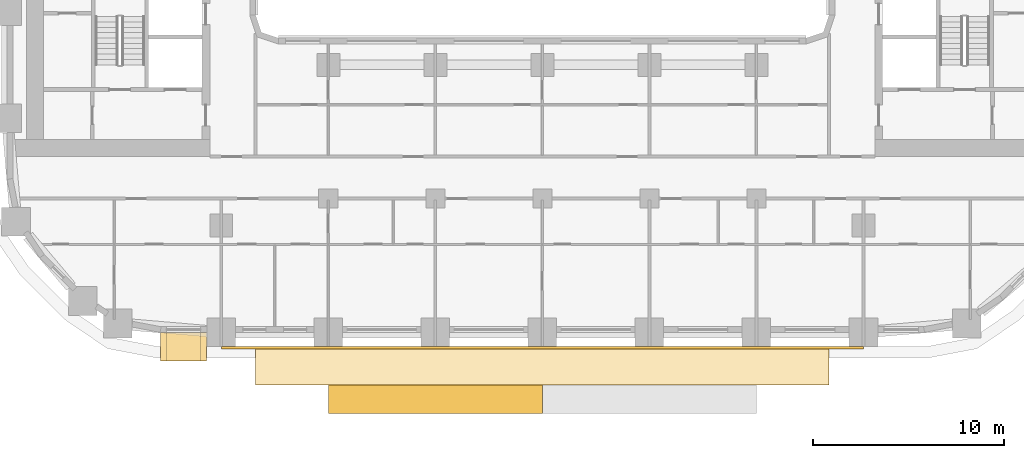
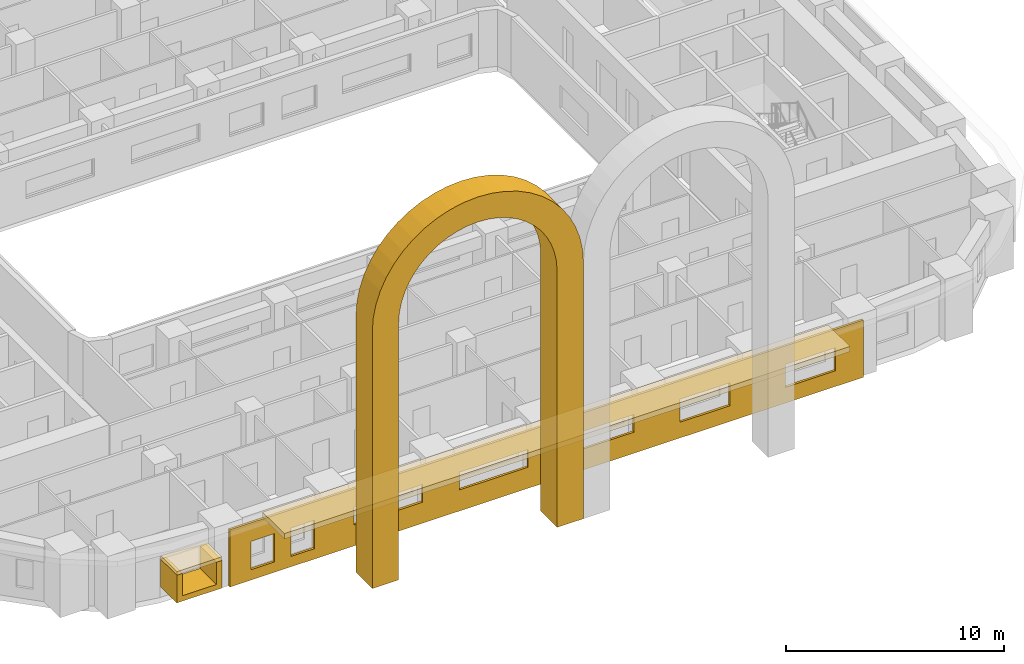
# One storey, part 11 of 21: 5 coverings.
"""IFC4 building model written with IfcOpenShell, lengths in metres."""

from ifc_helpers import new_model, si_unit, direction, frame, origin, origin_2d, place, context, subcontext, project, spatial, polyline, rectangle, outline, extrude, material, layer, layer_set, type_object, element, save


model = new_model("IFC4")

# Units and contexts
model_context = context("Model", 3, precision=1e-05, world=origin(), true_north=direction((0.0, 1.0)))
body_context = subcontext(model_context, "Body", "Model", "MODEL_VIEW")
ifc_project = project(units=[si_unit("LENGTHUNIT", "METRE"), si_unit("AREAUNIT", "SQUARE_METRE"), si_unit("VOLUMEUNIT", "CUBIC_METRE"), si_unit("PLANEANGLEUNIT", "RADIAN"), si_unit("MASSUNIT", "GRAM", prefix="KILO")], contexts=[model_context])

# Site, building, storey
site_placement = place(None, origin())
site = spatial("IfcSite", under=ifc_project, at=site_placement, CompositionType="ELEMENT")
building_placement = place(site_placement, origin())
building = spatial("IfcBuilding", under=site, at=building_placement, Name="Kiln Ring Residences", CompositionType="ELEMENT")
storey_placement = place(building_placement, frame((0.0, 0.0, 51.5)))
storey = spatial("IfcBuildingStorey", under=building, at=storey_placement, Name="L12", CompositionType="ELEMENT", Elevation=51.5)

# Coverings
ifc_material_1 = material(Name="Brick masonry, dark clay brick", Category="masonry")
ifc_layer_1 = layer(ifc_material_1, 1.39990234375)
ifc_layer_set_1 = layer_set([ifc_layer_1], Name="ARCH SURROUND 1500")
covering_type_1 = type_object("IfcCoveringType", Name="ARCH SURROUND 1500", PredefinedType="CLADDING", material=ifc_layer_set_1)
covering_1_placement = place(storey_placement, frame((0.0, -25.89990234375, 0.0), z_axis=(0.0, 0.0, 1.0), x_axis=(-1.0, 0.0, 0.0)))
element("IfcCovering", 1, at=covering_1_placement, inside=storey, type_object=covering_type_1, Name="ARCH SURROUND Z1 S2.1", PredefinedType="CLADDING", context=body_context, shape_type="SweptSolid", body=[
    extrude(outline(polyline([(11.199951171875, 0.0), (11.199951171875, 14.39990234375), (11.152099609375, 15.130859375), (11.00927734375, 15.849365234375), (10.773681640625, 16.54296875), (10.44970703125, 17.199951171875), (10.042724609375, 17.80908203125), (9.559814453125, 18.35986328125), (9.009033203125, 18.8427734375), (8.39990234375, 19.249755859375), (7.742919921875, 19.57373046875), (7.04931640625, 19.80908203125), (6.330810546875, 19.9521484375), (5.60009765625, 20.0), (4.869140625, 19.9521484375), (4.150634765625, 19.80908203125), (3.45703125, 19.57373046875), (2.800048828125, 19.249755859375), (2.19091796875, 18.8427734375), (1.64013671875, 18.35986328125), (1.1572265625, 17.80908203125), (0.750244140625, 17.199951171875), (0.42626953125, 16.54296875), (0.19091796875, 15.849365234375), (0.0478515625, 15.130859375), (0.0, 14.39990234375), (0.0, 0.0), (1.39990234375, 0.0), (1.39990234375, 14.39990234375), (1.435791015625, 14.9482421875), (1.543212890625, 15.487060546875), (1.7197265625, 16.00732421875), (1.962646484375, 16.5), (2.267822265625, 16.956787109375), (2.630126953125, 17.369873046875), (3.043212890625, 17.732177734375), (3.5, 18.037353515625), (3.99267578125, 18.2802734375), (4.512939453125, 18.456787109375), (5.0517578125, 18.564208984375), (5.60009765625, 18.60009765625), (6.148193359375, 18.564208984375), (6.68701171875, 18.456787109375), (7.207275390625, 18.2802734375), (7.699951171875, 18.037353515625), (8.15673828125, 17.732177734375), (8.56982421875, 17.369873046875), (8.93212890625, 16.956787109375), (9.2373046875, 16.5), (9.480224609375, 16.00732421875), (9.656982421875, 15.487060546875), (9.76416015625, 14.9482421875), (9.800048828125, 14.39990234375), (9.800048828125, 0.0), (11.199951171875, 0.0)])), frame((0.0, 0.75, 0.0), z_axis=(0.0, -1.0, 0.0), x_axis=(1.0, 0.0, 0.0)), (0.0, 0.0, 1.0), 1.5),
])
ifc_material_2 = material(Name="Brick masonry, dark clay brick", Category="masonry")
ifc_layer_2 = layer(ifc_material_2, 0.300048828125)
ifc_layer_set_2 = layer_set([ifc_layer_2], Name="FRAME CHEEKS AND SILL 1500")
covering_type_2 = type_object("IfcCoveringType", Name="FRAME CHEEKS AND SILL 1500", PredefinedType="CLADDING", material=ifc_layer_set_2)
covering_2_placement = place(storey_placement, frame((-19.97509765625, -23.14990234375, 0.60009765625), z_axis=(0.0, 0.0, 1.0), x_axis=(1.0, 0.0, 0.0)))
element("IfcCovering", 2, at=covering_2_placement, inside=storey, type_object=covering_type_2, Name="FRAME L12", PredefinedType="CLADDING", context=body_context, shape_type="SweptSolid", body=[
    extrude(outline(polyline([(0.0, 0.0), (2.400146484375, 0.0), (2.39990234375, 1.5498046875), (2.10107421875, 1.5498046875), (2.10009765625, 0.2998046875), (0.300048828125, 0.2998046875), (0.299072265625, 1.5498046875), (0.0, 1.5498046875), (0.0, 0.0)])), frame((0.0, 0.75, 0.0), z_axis=(0.0, -1.0, 0.0), x_axis=(1.0, 0.0, 0.0)), (0.0, 0.0, 1.0), 1.5),
])
ifc_material_3 = material(Name="Brick masonry, dark clay brick", Category="masonry")
ifc_layer_3 = layer(ifc_material_3, 0.199951171875)
ifc_layer_set_3 = layer_set([ifc_layer_3], Name="FRAME HEAD 1500")
covering_type_3 = type_object("IfcCoveringType", Name="FRAME HEAD 1500", PredefinedType="CLADDING", material=ifc_layer_set_3)
covering_3_placement = place(storey_placement, frame((-18.77490234375, -23.14990234375, 2.14990234375), z_axis=(0.0, 0.0, 1.0), x_axis=(1.0, 0.0, 0.0)))
element("IfcCovering", 3, at=covering_3_placement, inside=storey, type_object=covering_type_3, Name="FRAME HEAD L12", PredefinedType="CLADDING", context=body_context, shape_type="SweptSolid", body=[
    extrude(rectangle(XDim=2.39990234375, YDim=1.5, at=origin_2d()), origin(), (0.0, 0.0, 1.0), 0.199951171875),
])
ifc_material_4 = material(Name="Brick masonry, dark clay brick", Category="masonry")
ifc_layer_4 = layer(ifc_material_4, 0.1201171875)
ifc_layer_set_4 = layer_set([ifc_layer_4], Name="RAINSCREEN PANEL 120")
covering_type_4 = type_object("IfcCoveringType", Name="RAINSCREEN PANEL 120", PredefinedType="CLADDING", material=ifc_layer_set_4)
covering_4_placement = place(storey_placement, frame((-16.800048828125, -23.2099609375, 0.0), z_axis=(0.0, 0.0, 1.0), x_axis=(1.0, 0.0, 0.0)))
element("IfcCovering", 4, at=covering_4_placement, inside=storey, type_object=covering_type_4, Name="RAINSCREEN L12", PredefinedType="CLADDING", context=body_context, shape_type="SweptSolid", body=[
    extrude(outline(polyline([(0.0, 0.0), (33.60009765625, 0.0), (33.60009765625, 3.199951171875), (0.0, 3.199951171875), (0.0, 0.0)]), holes=[polyline([(2.357421875, 0.580078125), (2.357421875, 2.169921875), (1.117431640625, 2.169921875), (1.117431640625, 0.580078125), (2.357421875, 0.580078125)]), polyline([(3.242431640625, 0.580078125), (4.482421875, 0.580078125), (4.482421875, 2.169921875), (3.242431640625, 2.169921875), (3.242431640625, 0.580078125)]), polyline([(23.8798828125, 0.8798828125), (26.52001953125, 0.8798828125), (26.52001953125, 2.169921875), (23.8798828125, 2.169921875), (23.8798828125, 0.8798828125)]), polyline([(29.47998046875, 0.8798828125), (32.1201171875, 0.8798828125), (32.1201171875, 2.169921875), (29.47998046875, 2.169921875), (29.47998046875, 0.8798828125)]), polyline([(6.580078125, 1.179931640625), (10.219970703125, 1.179931640625), (10.219970703125, 2.169921875), (6.580078125, 2.169921875), (6.580078125, 1.179931640625)]), polyline([(12.179931640625, 1.179931640625), (15.820068359375, 1.179931640625), (15.820068359375, 2.169921875), (12.179931640625, 2.169921875), (12.179931640625, 1.179931640625)]), polyline([(17.780029296875, 1.179931640625), (21.419921875, 1.179931640625), (21.419921875, 2.169921875), (17.780029296875, 2.169921875), (17.780029296875, 1.179931640625)])]), frame((0.0, 0.06005859375, 0.0), z_axis=(0.0, -1.0, 0.0), x_axis=(1.0, 0.0, 0.0)), (0.0, 0.0, 1.0), 0.1201171875),
])
ifc_material_5 = material(Name="Black powder-coated steel", Category="steel")
ifc_layer_5 = layer(ifc_material_5, 0.300048828125)
ifc_layer_set_5 = layer_set([ifc_layer_5], Name="SUNSHADE BAND 2000")
covering_type_5 = type_object("IfcCoveringType", Name="SUNSHADE BAND 2000", PredefinedType="CLADDING", material=ifc_layer_set_5)
covering_5_placement = place(storey_placement, frame((0.0, 0.0, 3.199951171875)))
element("IfcCovering", 5, at=covering_5_placement, inside=storey, type_object=covering_type_5, Name="SUNSHADE BAND L12", PredefinedType="CLADDING", context=body_context, shape_type="SweptSolid", body=[
    extrude(outline(polyline([(-15.0, -25.14990234375), (15.0, -25.14990234375), (15.0, -23.14990234375), (-15.0, -23.14990234375), (-15.0, -25.14990234375)])), origin(), (0.0, 0.0, 1.0), 0.300048828125),
])

save(model, "model.ifc")
